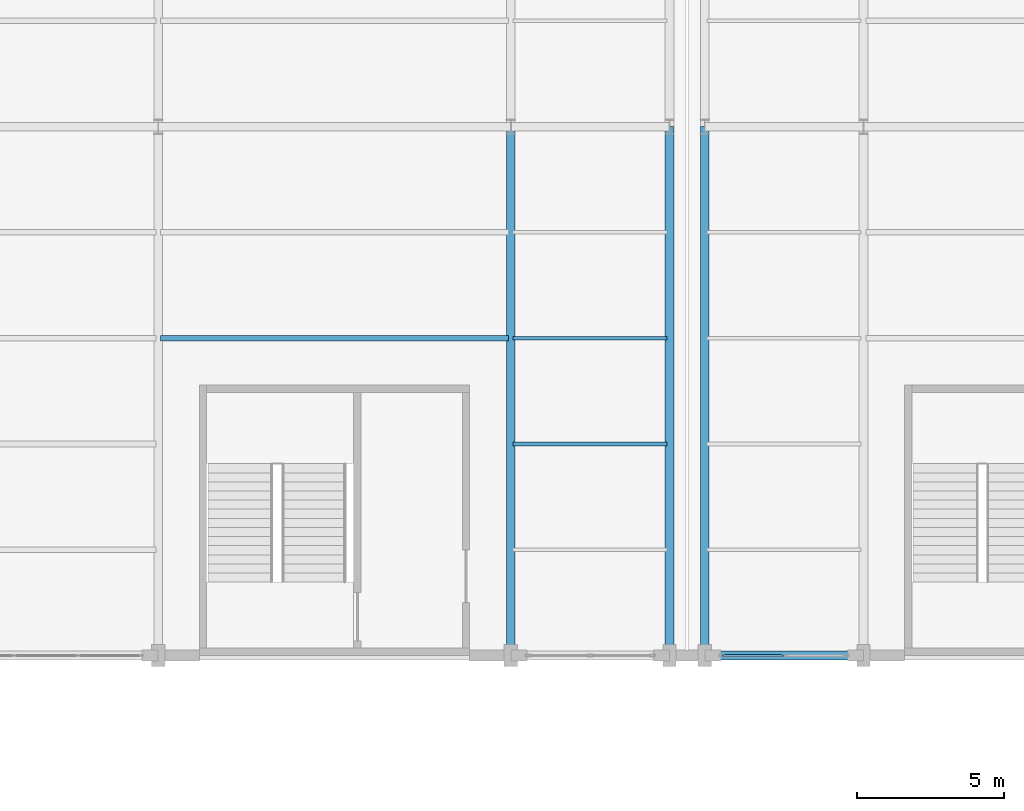
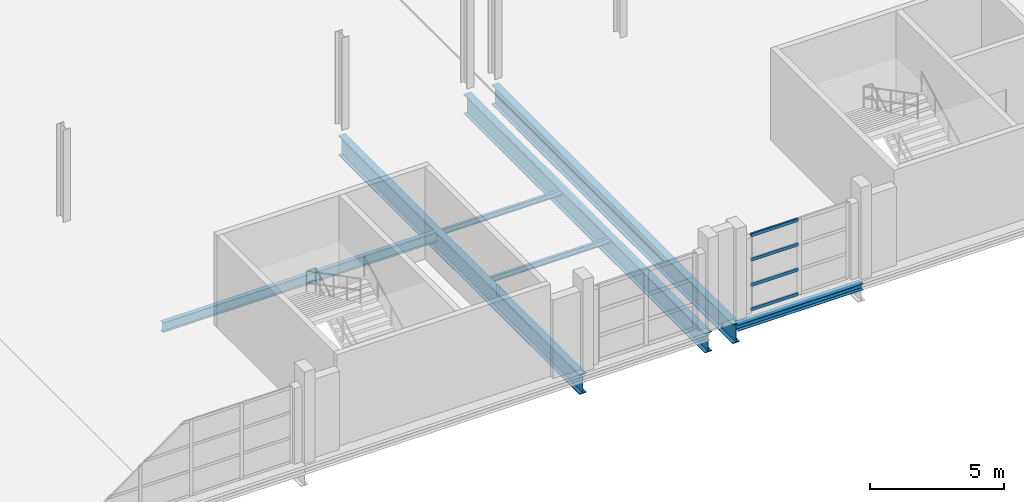
# One storey, part 94 of 147: 7 beams, 4 members, 1 element without a shape of its own.
"""IFC4 building model written with IfcOpenShell, lengths in metres."""

import ifcopenshell
import ifcopenshell.guid

model = None  # the IFC model being written
_history = None  # IfcOwnerHistory: only IFC2X3 demands one
_inside = {}  # id of a spatial element -> (the spatial element, [elements in it])
_under = {}  # id of a project, library or spatial element -> (it, [spatial elements below it])
_declared = {}  # id of a project -> (the project, [libraries it declares])
_typed = {}  # id of a type object -> (the type object, [elements of that type])
_made_of = {}  # id of a material, layer set ... -> (it, [elements and type objects made of it])


def new_model(schema):
    """Start an empty IFC model of exactly this schema.

    Asked for "IFC4X3", IfcOpenShell would pick the latest addendum, in which some entities
    have other attributes; the version numbers below select the first issue.
    IFC2X3 requires an IfcOwnerHistory on every rooted entity: one is made here for all.
    """
    global model, _history
    if schema == "IFC4X3":
        model = ifcopenshell.file(schema_version=(4, 3, 0, 0))
    else:
        model = ifcopenshell.file(schema=schema)
    _inside.clear()
    _under.clear()
    _declared.clear()
    _typed.clear()
    _made_of.clear()
    _history = None
    if model.schema == "IFC2X3":
        org = make("IfcOrganization", Name="unknown")
        user = make(
            "IfcPersonAndOrganization",
            ThePerson=make("IfcPerson", FamilyName="unknown"),
            TheOrganization=org,
        )
        app = make(
            "IfcApplication",
            ApplicationDeveloper=org,
            Version="unknown",
            ApplicationFullName="unknown",
            ApplicationIdentifier="unknown",
        )
        _history = make(
            "IfcOwnerHistory",
            OwningUser=user,
            OwningApplication=app,
            ChangeAction="ADDED",
            CreationDate=0,
        )
    return model


def make(cls, **values):
    """One entity of the class cls with the attributes given. An attribute that is None is left unset."""
    return model.create_entity(
        cls, **{name: value for name, value in values.items() if value is not None}
    )


def rooted(cls, **values):
    """An entity with a GlobalId (a new one), such as an element, a storey or a relation."""
    return make(cls, GlobalId=ifcopenshell.guid.new(), OwnerHistory=_history, **values)


def si_unit(unit_type, name, prefix=None):
    """IfcSIUnit, for example si_unit("LENGTHUNIT", "METRE", prefix="MILLI")."""
    return make("IfcSIUnit", UnitType=unit_type, Prefix=prefix, Name=name)


def assignment(units):
    """IfcUnitAssignment: the units of a project."""
    return None if units is None else make("IfcUnitAssignment", Units=units)


def point(xyz):
    """IfcCartesianPoint."""
    return None if xyz is None else make("IfcCartesianPoint", Coordinates=xyz)


def direction(xyz):
    """IfcDirection."""
    return None if xyz is None else make("IfcDirection", DirectionRatios=xyz)


def frame(location, z_axis=None, x_axis=None):
    """IfcAxis2Placement3D, a coordinate frame: its origin and axes. An axis left out is left unset."""
    return make(
        "IfcAxis2Placement3D",
        Location=point(location),
        Axis=direction(z_axis),
        RefDirection=direction(x_axis),
    )


def frame_2d(location, x_axis=None):
    """IfcAxis2Placement2D, a coordinate frame in the plane: its origin and x axis."""
    return make(
        "IfcAxis2Placement2D", Location=point(location), RefDirection=direction(x_axis)
    )


def origin():
    """The frame at (0, 0, 0) with its axes left unset."""
    return frame((0.0, 0.0, 0.0))


def origin_2d():
    """The frame at (0, 0) in the plane with its x axis left unset."""
    return frame_2d((0.0, 0.0))


def place(relative_to, where):
    """IfcLocalPlacement: puts the frame where relative to a parent placement (None: the world)."""
    return make(
        "IfcLocalPlacement", PlacementRelTo=relative_to, RelativePlacement=where
    )


def context(
    kind, dimensions, precision=None, world=None, true_north=None, identifier=None
):
    """IfcGeometricRepresentationContext, for example the 3D "Model" context."""
    return make(
        "IfcGeometricRepresentationContext",
        ContextIdentifier=identifier,
        ContextType=kind,
        CoordinateSpaceDimension=dimensions,
        Precision=precision,
        WorldCoordinateSystem=world,
        TrueNorth=true_north,
    )


def subcontext(parent, identifier, kind, view, scale=None):
    """IfcGeometricRepresentationSubContext, for example "Body" below "Model"."""
    return make(
        "IfcGeometricRepresentationSubContext",
        ContextIdentifier=identifier,
        ContextType=kind,
        ParentContext=parent,
        TargetScale=scale,
        TargetView=view,
    )


def project(units=None, contexts=None):
    """IfcProject with its units and contexts."""
    return rooted(
        "IfcProject",
        Name="project",
        RepresentationContexts=contexts,
        UnitsInContext=assignment(units),
    )


def spatial(cls, under=None, at=None, **own):
    """A site, building, storey or space (cls), placed at a placement, below another one or the project."""
    s = rooted(cls, ObjectPlacement=at, **own)
    if under is not None:
        _under.setdefault(under.id(), (under, []))[1].append(s)
    return s


def profile(cls, at=None, kind="AREA", **sizes):
    """A parametric profile (cls). Its sizes go by their IFC names, for example OverallWidth=200.0."""
    return make(cls, ProfileType=kind, Position=at, **sizes)


def hollow_rectangle(**sizes):
    """IfcRectangleHollowProfileDef."""
    return profile("IfcRectangleHollowProfileDef", **sizes)


def i_section(**sizes):
    """IfcIShapeProfileDef."""
    return profile("IfcIShapeProfileDef", **sizes)


def extrude(swept, where, along, depth):
    """IfcExtrudedAreaSolid: the profile swept, set in the frame where, extruded along a direction by depth."""
    return make(
        "IfcExtrudedAreaSolid",
        SweptArea=swept,
        Position=where,
        ExtrudedDirection=direction(along),
        Depth=depth,
    )


def shape(context_of_items, identifier, shape_type, items):
    """IfcShapeRepresentation: the items that make up one representation, for example the "Body"."""
    return make(
        "IfcShapeRepresentation",
        ContextOfItems=context_of_items,
        RepresentationIdentifier=identifier,
        RepresentationType=shape_type,
        Items=items,
    )


def material(Name=None, Category=None):
    """IfcMaterial."""
    return make("IfcMaterial", Name=Name, Category=Category)


def layer(
    of_material, thickness, ventilated=None, Name=None, Category=None, Priority=None
):
    """IfcMaterialLayer: one layer of a wall or slab, of a material (None: an air gap)."""
    return make(
        "IfcMaterialLayer",
        Material=of_material,
        LayerThickness=thickness,
        IsVentilated=ventilated,
        Name=Name,
        Category=Category,
        Priority=Priority,
    )


def layer_set(layers, Name=None):
    """IfcMaterialLayerSet."""
    return make("IfcMaterialLayerSet", MaterialLayers=layers, LayerSetName=Name)


def material_profile(
    of_material, cross_section, Name=None, Category=None, Priority=None
):
    """IfcMaterialProfile: a cross section and its material."""
    return make(
        "IfcMaterialProfile",
        Name=Name,
        Material=of_material,
        Profile=cross_section,
        Priority=Priority,
        Category=Category,
    )


def profile_set(profiles, Name=None, composite=None):
    """IfcMaterialProfileSet."""
    return make(
        "IfcMaterialProfileSet",
        Name=Name,
        MaterialProfiles=profiles,
        CompositeProfile=composite,
    )


def made_of(thing, what):
    """Note that an element or type object is made of a material, layer set ...; save() writes the relation."""
    if what is not None:
        _made_of.setdefault(what.id(), (what, []))[1].append(thing)
    return thing


def type_object(cls, material=None, **own):
    """A type object (cls), such as IfcWallType, which elements share."""
    return made_of(rooted(cls, **own), material)


def element(
    cls,
    number,
    at=None,
    inside=None,
    cuts=None,
    type_object=None,
    material=None,
    context=None,
    identifier="Body",
    shape_type=None,
    held_by="IfcProductDefinitionShape",
    body=None,
    shapes=None,
    **own,
):
    """One element of the class cls, such as IfcWall. Its Tag is "e" and its number.

    at: its placement. inside: the storey or other place that contains it. cuts: it is an
    opening in that element (IfcRelVoidsElement). A single representation is given by context,
    identifier, shape_type and body (its items); several are given by shapes. held_by: the class
    of the entity that holds the representations. save() writes the other relations.
    """
    e = rooted(cls, Tag="e%d" % number, ObjectPlacement=at, **own)
    if body is not None:
        shapes = [shape(context, identifier, shape_type, body)]
    if shapes is not None:
        e.Representation = make(held_by, Representations=shapes)
    if inside is not None:
        _inside.setdefault(inside.id(), (inside, []))[1].append(e)
    if cuts is not None:
        rooted(
            "IfcRelVoidsElement", RelatingBuildingElement=cuts, RelatedOpeningElement=e
        )
    if type_object is not None:
        _typed.setdefault(type_object.id(), (type_object, []))[1].append(e)
    return made_of(e, material)


def aggregate(whole, parts):
    """IfcRelAggregates: a whole, such as a stair, and the parts it consists of."""
    return rooted("IfcRelAggregates", RelatingObject=whole, RelatedObjects=parts)


def save(model, path):
    """Write the relations noted so far, then the file.

    IfcRelAggregates (storeys below a building ...), IfcRelContainedInSpatialStructure (elements
    in a storey), IfcRelDefinesByType, IfcRelAssociatesMaterial and IfcRelDeclares: one each for
    every whole, place, type object, material and project.
    """
    for whole, parts in _under.values():
        aggregate(whole, parts)
    for where, things in _inside.values():
        rooted(
            "IfcRelContainedInSpatialStructure",
            RelatedElements=things,
            RelatingStructure=where,
        )
    for kind, things in _typed.values():
        rooted("IfcRelDefinesByType", RelatedObjects=things, RelatingType=kind)
    for what, things in _made_of.values():
        rooted("IfcRelAssociatesMaterial", RelatedObjects=things, RelatingMaterial=what)
    for by, libraries in _declared.values():
        rooted("IfcRelDeclares", RelatingContext=by, RelatedDefinitions=libraries)
    model.write(path)


model = new_model("IFC4")

# Units and contexts
model_context = context("Model", 3, precision=1e-05, world=origin(), true_north=direction((0.0, 1.0)))
body_context = subcontext(model_context, "Body", "Model", "MODEL_VIEW")
ifc_project = project(units=[si_unit("LENGTHUNIT", "METRE"), si_unit("AREAUNIT", "SQUARE_METRE"), si_unit("VOLUMEUNIT", "CUBIC_METRE"), si_unit("PLANEANGLEUNIT", "RADIAN"), si_unit("MASSUNIT", "GRAM", prefix="KILO")], contexts=[model_context])

# Site, building, storey
site_placement = place(None, origin())
site = spatial("IfcSite", under=ifc_project, at=site_placement, CompositionType="ELEMENT")
building_placement = place(site_placement, origin())
building = spatial("IfcBuilding", under=site, at=building_placement, Name="Zilviju Railside Exhibition Hall", CompositionType="ELEMENT")
storey_placement = place(building_placement, frame((0.0, 0.0, 8.39990234375)))
storey = spatial("IfcBuildingStorey", under=building, at=storey_placement, Name="L03", CompositionType="ELEMENT", Elevation=8.39990234375)

# Beams
ifc_material_1 = material(Name="Steel S355J2", Category="steel")
ifc_material_profile_1 = material_profile(ifc_material_1, i_section(OverallWidth=0.300048828125, OverallDepth=0.2900390625, WebThickness=0.008544921875, FlangeThickness=0.013916015625, at=origin_2d()), Name="HEA 300")
ifc_profile_set_1 = profile_set([ifc_material_profile_1], Name="Steel S355J2")
beam_type_1 = type_object("IfcBeamType", Name="BM-HEA300", PredefinedType="SPANDREL", material=ifc_profile_set_1)
beam_1_placement = place(storey_placement, frame((174.60009765625, 84.0, -0.52490234375), z_axis=(1.0, 0.0, 0.0), x_axis=(0.0, 1.0, 0.0)))
element("IfcBeam", 1, at=beam_1_placement, inside=storey, type_object=beam_type_1, Name="Primary Girder L03 Y=84.0 (174.6..180.0)", PredefinedType="SPANDREL", context=body_context, shape_type="SweptSolid", body=[
    extrude(i_section(OverallWidth=0.300048828125, OverallDepth=0.2900390625, WebThickness=0.008544921875, FlangeThickness=0.013916015625, at=origin_2d()), origin(), (0.0, 0.0, 1.0), 5.39990234375),
])
ifc_material_profile_2 = material_profile(ifc_material_1, i_section(OverallWidth=0.300048828125, OverallDepth=0.89990234375, WebThickness=0.0185546875, FlangeThickness=0.034912109375, at=origin_2d()), Name="HEB 900")
ifc_profile_set_2 = profile_set([ifc_material_profile_2], Name="Steel S355J2")
beam_type_2 = type_object("IfcBeamType", Name="BM-HEB900", PredefinedType="BEAM", material=ifc_profile_set_2)
for number, where, z_axis, x_axis, name in (
    (2, (168.0, 84.0, -0.829833984375), (0.0, 1.0, 0.0), (-1.0, 0.0, 0.0), "Transverse Girder L03 X=168.0 (84.0..102.0)"),
    (3, (173.39990234375, 84.0, -0.829833984375), (0.0, 1.0, 0.0), (-1.0, 0.0, 0.0), "Transverse Girder L03 X=173.4 (84.0..102.0)"),
    (4, (174.60009765625, 84.0, -0.829833984375), (0.0, 1.0, 0.0), (-1.0, 0.0, 0.0), "Transverse Girder L03 X=174.6 (84.0..102.0)"),
):
    element("IfcBeam", number, at=place(storey_placement, frame(where, z_axis=z_axis, x_axis=x_axis)), inside=storey, type_object=beam_type_2, Name=name, PredefinedType="BEAM", context=body_context, shape_type="SweptSolid", body=[
        extrude(i_section(OverallWidth=0.300048828125, OverallDepth=0.89990234375, WebThickness=0.0185546875, FlangeThickness=0.034912109375, at=origin_2d()), origin(), (0.0, 0.0, 1.0), 18.0),
    ])
ifc_material_profile_3 = material_profile(ifc_material_1, i_section(OverallWidth=0.1201171875, OverallDepth=0.239990234375, WebThickness=0.006103515625, FlangeThickness=0.009765625, at=origin_2d()), Name="IPE 240")
ifc_profile_set_3 = profile_set([ifc_material_profile_3], Name="Steel S355J2")
beam_type_3 = type_object("IfcBeamType", Name="BM-IPE240", PredefinedType="JOIST", material=ifc_profile_set_3)
for number, where, z_axis, x_axis, name in (
    (5, (168.080078125, 91.199951171875, -0.5), (1.0, 0.0, 0.0), (0.0, 1.0, 0.0), "Composite Floor Joist L03 Y=91.20 (168.0..173.4)"),
    (6, (168.080078125, 94.800048828125, -0.5), (1.0, 0.0, 0.0), (0.0, 1.0, 0.0), "Composite Floor Joist L03 Y=94.80 (168.0..173.4)"),
):
    element("IfcBeam", number, at=place(storey_placement, frame(where, z_axis=z_axis, x_axis=x_axis)), inside=storey, type_object=beam_type_3, Name=name, PredefinedType="JOIST", context=body_context, shape_type="SweptSolid", body=[
        extrude(i_section(OverallWidth=0.1201171875, OverallDepth=0.239990234375, WebThickness=0.006103515625, FlangeThickness=0.009765625, at=origin_2d()), origin(), (0.0, 0.0, 1.0), 5.239990234375),
    ])
ifc_material_profile_4 = material_profile(ifc_material_1, i_section(OverallWidth=0.18994140625, OverallDepth=0.449951171875, WebThickness=0.009521484375, FlangeThickness=0.0146484375, at=origin_2d()), Name="IPE 450")
ifc_profile_set_4 = profile_set([ifc_material_profile_4], Name="Steel S355J2")
beam_type_4 = type_object("IfcBeamType", Name="BM-IPE450", PredefinedType="JOIST", material=ifc_profile_set_4)
beam_2_placement = place(storey_placement, frame((156.080078125, 94.800048828125, -0.60498046875), z_axis=(1.0, 0.0, 0.0), x_axis=(0.0, 1.0, 0.0)))
element("IfcBeam", 7, at=beam_2_placement, inside=storey, type_object=beam_type_4, Name="Composite Floor Joist L03 Y=94.80 (156.0..168.0)", PredefinedType="JOIST", context=body_context, shape_type="SweptSolid", body=[
    extrude(i_section(OverallWidth=0.18994140625, OverallDepth=0.449951171875, WebThickness=0.009521484375, FlangeThickness=0.0146484375, at=origin_2d()), origin(), (0.0, 0.0, 1.0), 11.83984375),
])

# Curtain wall, members
ifc_material_2 = material(Name="Thermally broken aluminium-steel triple-glazed curtain wall", Category="steel")
ifc_layer = layer(ifc_material_2, 0.179931640625)
ifc_layer_set = layer_set([ifc_layer], Name="Thermally broken aluminium-steel triple-glazed curtain wall")
curtain_wall_type = type_object("IfcCurtainWallType", Name="CW-BAY-03", PredefinedType="USERDEFINED", material=ifc_layer_set)
curtain_wall_placement = place(storey_placement, origin())
curtain_wall = element("IfcCurtainWall", 8, at=curtain_wall_placement, inside=storey, type_object=curtain_wall_type, Name="North Hall Garden Court Curtain Wall L03 (175..180)", ObjectType="GLAZED CURTAIN WALL", PredefinedType="USERDEFINED")
ifc_material_3 = material(Name="Thermally broken anodized aluminium transom", Category="aluminium")
ifc_material_profile_5 = material_profile(ifc_material_3, hollow_rectangle(XDim=0.074951171875, YDim=0.139892578125, WallThickness=0.0048828125, at=origin_2d()), Name="TRANSOM 140x75x5")
ifc_profile_set_5 = profile_set([ifc_material_profile_5], Name="Thermally broken anodized aluminium transom")
member_type = type_object("IfcMemberType", Name="CWT-75x140", PredefinedType="USERDEFINED", material=ifc_profile_set_5)
member_1_placement = place(storey_placement, frame((177.262451171875, 84.0, 0.03759765625), z_axis=(-1.0, 0.0, 0.0), x_axis=(0.0, -1.0, 0.0)))
member_1 = element("IfcMember", 9, at=member_1_placement, type_object=member_type, Name="CW-03 transom 2.1", ObjectType="TRANSOM", PredefinedType="USERDEFINED", context=body_context, shape_type="SweptSolid", body=[
    extrude(hollow_rectangle(XDim=0.074951171875, YDim=0.139892578125, WallThickness=0.0048828125, at=origin_2d()), origin(), (0.0, 0.0, 1.0), 2.037353515625),
])
member_2_placement = place(storey_placement, frame((177.262451171875, 84.0, 1.150146484375), z_axis=(-1.0, 0.0, 0.0), x_axis=(0.0, -1.0, 0.0)))
member_2 = element("IfcMember", 10, at=member_2_placement, type_object=member_type, Name="CW-03 transom 2.2", ObjectType="TRANSOM", PredefinedType="USERDEFINED", context=body_context, shape_type="SweptSolid", body=[
    extrude(hollow_rectangle(XDim=0.074951171875, YDim=0.139892578125, WallThickness=0.0048828125, at=origin_2d()), origin(), (0.0, 0.0, 1.0), 2.037353515625),
])
member_3_placement = place(storey_placement, frame((177.262451171875, 84.0, 2.300048828125), z_axis=(-1.0, 0.0, 0.0), x_axis=(0.0, -1.0, 0.0)))
member_3 = element("IfcMember", 11, at=member_3_placement, type_object=member_type, Name="CW-03 transom 2.3", ObjectType="TRANSOM", PredefinedType="USERDEFINED", context=body_context, shape_type="SweptSolid", body=[
    extrude(hollow_rectangle(XDim=0.074951171875, YDim=0.139892578125, WallThickness=0.0048828125, at=origin_2d()), origin(), (0.0, 0.0, 1.0), 2.037353515625),
])
member_4_placement = place(storey_placement, frame((177.262451171875, 84.0, 3.41259765625), z_axis=(-1.0, 0.0, 0.0), x_axis=(0.0, -1.0, 0.0)))
member_4 = element("IfcMember", 12, at=member_4_placement, type_object=member_type, Name="CW-03 transom 2.4", ObjectType="TRANSOM", PredefinedType="USERDEFINED", context=body_context, shape_type="SweptSolid", body=[
    extrude(hollow_rectangle(XDim=0.074951171875, YDim=0.139892578125, WallThickness=0.0048828125, at=origin_2d()), origin(), (0.0, 0.0, 1.0), 2.037353515625),
])
aggregate(curtain_wall, [member_1, member_2, member_3, member_4])

save(model, "model.ifc")
